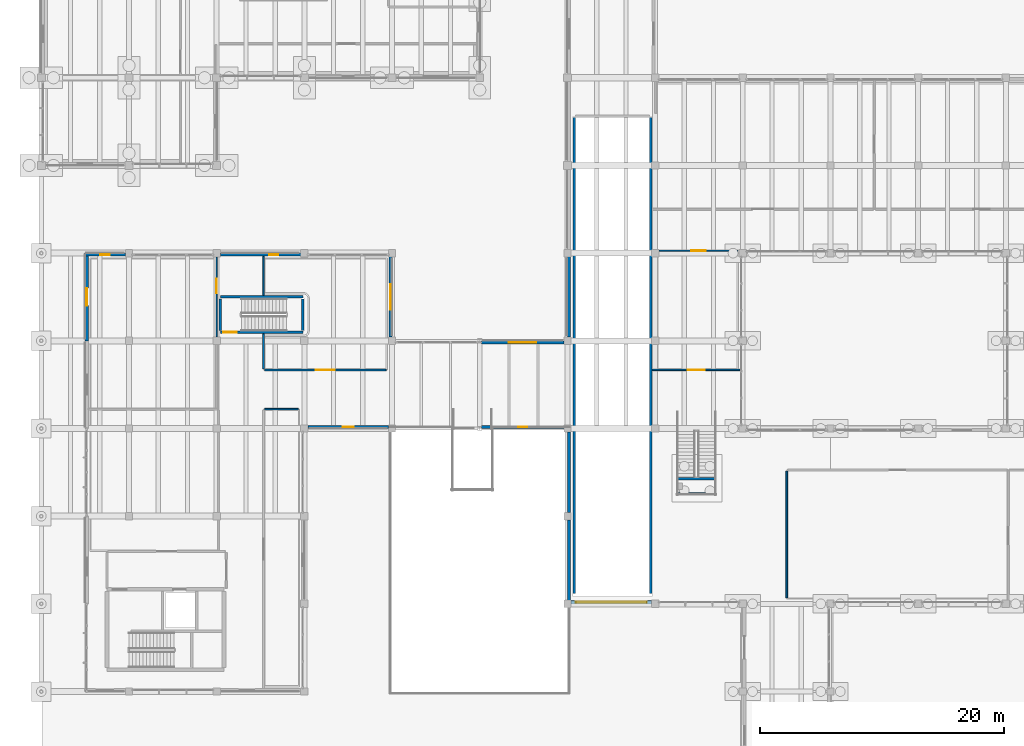
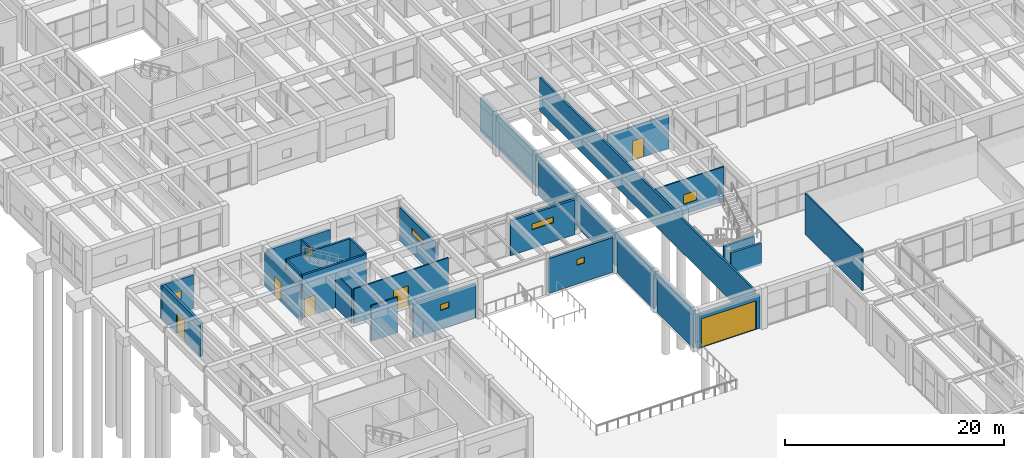
# One storey, part 118 of 155: 27 walls, 7 windows, 6 doors, 13 openings.
"""IFC4 building model written with IfcOpenShell, lengths in metres."""

from ifc_helpers import new_model, si_unit, direction, frame, frame_2d, origin, place, context, subcontext, project, spatial, rectangle, extrude, material, layer, layer_set, type_object, element, fill, save


model = new_model("IFC4")

# Units and contexts
model_context = context("Model", 3, precision=1e-05, world=origin(), true_north=direction((0.0, 1.0)))
body_context = subcontext(model_context, "Body", "Model", "MODEL_VIEW")
ifc_project = project(units=[si_unit("LENGTHUNIT", "METRE"), si_unit("AREAUNIT", "SQUARE_METRE"), si_unit("VOLUMEUNIT", "CUBIC_METRE"), si_unit("PLANEANGLEUNIT", "RADIAN"), si_unit("MASSUNIT", "GRAM", prefix="KILO")], contexts=[model_context])

# Site, building, storey
site_placement = place(None, origin())
site = spatial("IfcSite", under=ifc_project, at=site_placement, CompositionType="ELEMENT")
building_placement = place(site_placement, origin())
building = spatial("IfcBuilding", under=site, at=building_placement, Name="Bramvelor Terrace Health Centre", CompositionType="ELEMENT")
storey_placement = place(building_placement, origin())
storey = spatial("IfcBuildingStorey", under=building, at=storey_placement, Name="L01", CompositionType="ELEMENT", Elevation=0.0)

# Wall
ifc_material_1 = material(Name="Acoustic clinical partition board", Category="gypsum")
ifc_layer_1 = layer(ifc_material_1, 0.1201171875)
ifc_layer_set_1 = layer_set([ifc_layer_1], Name="Acoustic clinical partition board")
wall_type_1 = type_object("IfcWallType", Name="WL-CLN-120", PredefinedType="PARTITIONING", material=ifc_layer_set_1)
wall_1_placement = place(storey_placement, frame((18.25, 61.330078125, 0.0), z_axis=(0.0, 0.0, 1.0), x_axis=(0.0, 1.0, 0.0)))
element("IfcWall", 1, at=wall_1_placement, inside=storey, type_object=wall_type_1, Name="L01 Interior Partition 137", PredefinedType="PARTITIONING", context=body_context, shape_type="SweptSolid", body=[
    extrude(rectangle(XDim=3.204833984375, YDim=0.1201171875, at=frame_2d((1.6025390625, 0.0))), origin(), (0.0, 0.0, 1.0), 3.760009765625),
])

# Wall, opening, window
ifc_material_2 = material(Name="Acoustic clinical partition board", Category="gypsum")
ifc_layer_2 = layer(ifc_material_2, 0.1298828125)
ifc_layer_set_2 = layer_set([ifc_layer_2], Name="Acoustic clinical partition board")
wall_type_2 = type_object("IfcWallType", Name="WL-CLN-130", PredefinedType="PARTITIONING", material=ifc_layer_set_2)
wall_2_placement = place(storey_placement, frame((57.3701171875, 55.2099609375, 0.0), z_axis=(0.0, 0.0, 1.0), x_axis=(-1.0, 0.0, 0.0)))
wall_2 = element("IfcWall", 2, at=wall_2_placement, inside=storey, type_object=wall_type_2, Name="L01 Interior Partition 82", PredefinedType="PARTITIONING", context=body_context, shape_type="SweptSolid", body=[
    extrude(rectangle(XDim=7.210205078125, YDim=0.1298828125, at=frame_2d((3.60498046875, 0.0))), origin(), (0.0, 0.0, 1.0), 3.860107421875),
])
opening_1_placement = place(wall_2_placement, frame((2.905029296875, 0.0, 1.14990234375)))
opening_1 = element("IfcOpeningElement", 3, at=opening_1_placement, cuts=wall_2, Name="Opening IWN-1", PredefinedType="OPENING", context=body_context, shape_type="SweptSolid", body=[
    extrude(rectangle(XDim=1.39990234375, YDim=1.050048828125, at=frame_2d((0.699951171875, 0.52490234375))), frame((0.0, 0.074951171875, 0.0), z_axis=(0.0, -1.0, 0.0), x_axis=(1.0, 0.0, 0.0)), (0.0, 0.0, 1.0), 0.14990234375),
])
ifc_material_3 = material(Name="Acoustic laminated observation glass", Category="glass")
window_type_1 = type_object("IfcWindowType", Name="WIN-INT-OBS140", PartitioningType="SINGLE_PANEL", PredefinedType="WINDOW", material=ifc_material_3)
window_1_placement = place(opening_1_placement, origin())
window_1 = element("IfcWindow", 4, at=window_1_placement, inside=storey, type_object=window_type_1, Name="L01 Clinical Observation Window 11", OverallHeight=1.050048828125, OverallWidth=1.39990234375, PartitioningType="SINGLE_PANEL", PredefinedType="WINDOW", context=body_context, shape_type="SweptSolid", body=[
    extrude(rectangle(XDim=1.39990234375, YDim=1.050048828125, at=frame_2d((0.699951171875, 0.52490234375))), frame((0.0, 0.030029296875, 0.0), z_axis=(0.0, -1.0, 0.0), x_axis=(1.0, 0.0, 0.0)), (0.0, 0.0, 1.0), 0.06005859375),
])
fill(opening_1, window_1)

# Wall
ifc_material_4 = material(Name="Fire-rated gypsum and mineral wool", Category="gypsum")
ifc_layer_3 = layer(ifc_material_4, 0.139892578125)
ifc_layer_set_3 = layer_set([ifc_layer_3], Name="Fire-rated gypsum and mineral wool")
wall_type_3 = type_object("IfcWallType", Name="WL-COR-140", PredefinedType="PARTITIONING", material=ifc_layer_set_3)
wall_3_placement = place(storey_placement, frame((61.201904296875, 36.489990234375, 0.0), z_axis=(0.0, 0.0, 1.0), x_axis=(0.0, 1.0, 0.0)))
element("IfcWall", 5, at=wall_3_placement, inside=storey, type_object=wall_type_3, Name="L01 Interior Partition 78", PredefinedType="PARTITIONING", context=body_context, shape_type="SweptSolid", body=[
    extrude(rectangle(XDim=10.409912109375, YDim=0.139892578125, at=frame_2d((5.205078125, 0.0))), origin(), (0.0, 0.0, 1.0), 4.570068359375),
])

# Wall, opening, door
wall_4_placement = place(storey_placement, frame((50.715087890625, 64.998046875, 0.0), z_axis=(0.0, 0.0, 1.0), x_axis=(1.0, 0.0, 0.0)))
wall_4 = element("IfcWall", 6, at=wall_4_placement, inside=storey, type_object=wall_type_3, Name="L01 Interior Partition 81", PredefinedType="PARTITIONING", context=body_context, shape_type="SweptSolid", body=[
    extrude(rectangle(XDim=6.494384765625, YDim=0.139892578125, at=frame_2d((3.2470703125, 0.0))), origin(), (0.0, 0.0, 1.0), 3.760009765625),
])
opening_2_placement = place(wall_4_placement, frame((2.6572265625, 0.0, 0.0)))
opening_2 = element("IfcOpeningElement", 7, at=opening_2_placement, cuts=wall_4, Name="Opening FD-02", PredefinedType="OPENING", context=body_context, shape_type="SweptSolid", body=[
    extrude(rectangle(XDim=1.179931640625, YDim=2.159912109375, at=frame_2d((0.58984375, 1.080078125))), frame((0.0, 0.079833984375, 0.0), z_axis=(0.0, -1.0, 0.0), x_axis=(1.0, 0.0, 0.0)), (0.0, 0.0, 1.0), 0.159912109375),
])
ifc_material_5 = material(Name="Fire-rated steel and vision panel", Category="steel")
door_type_1 = type_object("IfcDoorType", Name="DR-FD90-118", OperationType="NOTDEFINED", PredefinedType="DOOR", material=ifc_material_5)
door_1_placement = place(opening_2_placement, origin())
door_1 = element("IfcDoor", 8, at=door_1_placement, inside=storey, type_object=door_type_1, Name="L01 Community Courtyard Health Cafe Fire Door", OperationType="SINGLE_SWING_LEFT", OverallHeight=2.159912109375, OverallWidth=1.179931640625, PredefinedType="DOOR", context=body_context, shape_type="SweptSolid", body=[
    extrude(rectangle(XDim=1.179931640625, YDim=2.159912109375, at=frame_2d((0.58984375, 1.080078125))), frame((0.0, 0.02490234375, 0.0), z_axis=(0.0, -1.0, 0.0), x_axis=(1.0, 0.0, 0.0)), (0.0, 0.0, 1.0), 0.050048828125),
])
fill(opening_2, door_1)

wall_5_placement = place(storey_placement, frame((14.39990234375, 64.489990234375, 0.0), z_axis=(0.0, 0.0, 1.0), x_axis=(0.0, -1.0, 0.0)))
wall_5 = element("IfcWall", 9, at=wall_5_placement, inside=storey, type_object=wall_type_3, Name="L01 Interior Partition 133", PredefinedType="PARTITIONING", context=body_context, shape_type="SweptSolid", body=[
    extrude(rectangle(XDim=6.574951171875, YDim=0.139892578125, at=frame_2d((3.28759765625, 0.0))), origin(), (0.0, 0.0, 1.0), 3.760009765625),
])
opening_3_placement = place(wall_5_placement, frame((1.797607421875, 0.0, 0.0)))
opening_3 = element("IfcOpeningElement", 10, at=opening_3_placement, cuts=wall_5, Name="Opening FD-02", PredefinedType="OPENING", context=body_context, shape_type="SweptSolid", body=[
    extrude(rectangle(XDim=1.179931640625, YDim=2.159912109375, at=frame_2d((0.58984375, 1.080078125))), frame((0.0, 0.079833984375, 0.0), z_axis=(0.0, -1.0, 0.0), x_axis=(1.0, 0.0, 0.0)), (0.0, 0.0, 1.0), 0.159912109375),
])
door_2_placement = place(opening_3_placement, origin())
door_2 = element("IfcDoor", 11, at=door_2_placement, inside=storey, type_object=door_type_1, Name="L01 Clinical Immunization Dispensary Fire Door", OperationType="SINGLE_SWING_LEFT", OverallHeight=2.159912109375, OverallWidth=1.179931640625, PredefinedType="DOOR", context=body_context, shape_type="SweptSolid", body=[
    extrude(rectangle(XDim=1.179931640625, YDim=2.159912109375, at=frame_2d((0.58984375, 1.080078125))), frame((0.0, 0.02490234375, 0.0), z_axis=(0.0, -1.0, 0.0), x_axis=(1.0, 0.0, 0.0)), (0.0, 0.0, 1.0), 0.050048828125),
])
fill(opening_3, door_2)

wall_6_placement = place(storey_placement, frame((28.31005859375, 55.2099609375, 0.0), z_axis=(0.0, 0.0, 1.0), x_axis=(-1.0, 0.0, 0.0)))
wall_6 = element("IfcWall", 12, at=wall_6_placement, inside=storey, type_object=wall_type_3, Name="L01 Interior Partition 135", PredefinedType="PARTITIONING", context=body_context, shape_type="SweptSolid", body=[
    extrude(rectangle(XDim=9.968017578125, YDim=0.139892578125, at=frame_2d((4.98388671875, 0.0))), origin(), (0.0, 0.0, 1.0), 3.860107421875),
])
opening_4_placement = place(wall_6_placement, frame((4.2041015625, 0.0, 0.0)))
opening_4 = element("IfcOpeningElement", 13, at=opening_4_placement, cuts=wall_6, Name="Opening FD-03", PredefinedType="OPENING", context=body_context, shape_type="SweptSolid", body=[
    extrude(rectangle(XDim=1.56005859375, YDim=2.219970703125, at=frame_2d((0.780029296875, 1.10986328125))), frame((0.0, 0.079833984375, 0.0), z_axis=(0.0, -1.0, 0.0), x_axis=(1.0, 0.0, 0.0)), (0.0, 0.0, 1.0), 0.159912109375),
])
ifc_material_6 = material(Name="Fire-rated steel and vision panel", Category="steel")
door_type_2 = type_object("IfcDoorType", Name="DR-FD90-156", OperationType="DOUBLE_DOOR_SINGLE_SWING", PredefinedType="DOOR", material=ifc_material_6)
door_3_placement = place(opening_4_placement, origin())
door_3 = element("IfcDoor", 14, at=door_3_placement, inside=storey, type_object=door_type_2, Name="L01 Outpatient Cashier and Claims Desk Fire Door", OperationType="DOUBLE_DOOR_SINGLE_SWING", OverallHeight=2.219970703125, OverallWidth=1.56005859375, PredefinedType="DOOR", context=body_context, shape_type="SweptSolid", body=[
    extrude(rectangle(XDim=1.56005859375, YDim=2.219970703125, at=frame_2d((0.780029296875, 1.10986328125))), frame((0.0, 0.02490234375, 0.0), z_axis=(0.0, -1.0, 0.0), x_axis=(1.0, 0.0, 0.0)), (0.0, 0.0, 1.0), 0.050048828125),
])
fill(opening_4, door_3)

# Walls
wall_7_placement = place(storey_placement, frame((18.251953125, 55.300048828125, 0.0), z_axis=(0.0, 0.0, 1.0), x_axis=(0.0, 1.0, 0.0)))
element("IfcWall", 15, at=wall_7_placement, inside=storey, type_object=wall_type_3, Name="L01 Interior Partition 136", PredefinedType="PARTITIONING", context=body_context, shape_type="SweptSolid", body=[
    extrude(rectangle(XDim=2.869873046875, YDim=0.139892578125, at=frame_2d((1.43505859375, 0.0))), origin(), (0.0, 0.0, 1.0), 3.760009765625),
])
wall_8_placement = place(storey_placement, frame((18.342041015625, 51.989990234375, 0.0), z_axis=(0.0, 0.0, 1.0), x_axis=(1.0, 0.0, 0.0)))
element("IfcWall", 16, at=wall_8_placement, inside=storey, type_object=wall_type_3, Name="L01 Interior Partition 139", PredefinedType="PARTITIONING", context=body_context, shape_type="SweptSolid", body=[
    extrude(rectangle(XDim=2.76806640625, YDim=0.139892578125, at=frame_2d((1.384033203125, 0.0))), origin(), (0.0, 0.0, 1.0), 3.9599609375),
])

# Wall, opening, door
ifc_material_7 = material(Name="Concrete C40/50", Category="concrete")
ifc_layer_4 = layer(ifc_material_7, 0.199951171875)
ifc_layer_set_4 = layer_set([ifc_layer_4], Name="Concrete C40/50")
wall_type_4 = type_object("IfcWallType", Name="WL-CORE-200", PredefinedType="SHEAR", material=ifc_layer_set_4)
wall_9_placement = place(storey_placement, frame((14.699951171875, 58.300048828125, 0.0), z_axis=(0.0, 0.0, 1.0), x_axis=(1.0, 0.0, 0.0)))
wall_9 = element("IfcWall", 17, at=wall_9_placement, inside=storey, type_object=wall_type_4, Name="ST-6 L01 Stair Shaft Wall", PredefinedType="SHEAR", context=body_context, shape_type="SweptSolid", body=[
    extrude(rectangle(XDim=6.775146484375, YDim=0.199951171875, at=frame_2d((3.3876953125, 0.0))), origin(), (0.0, 0.0, 1.0), 4.800048828125),
])
opening_5_placement = place(wall_9_placement, frame((0.219970703125, 0.0, 0.0)))
opening_5 = element("IfcOpeningElement", 18, at=opening_5_placement, cuts=wall_9, Name="Opening FD-06", PredefinedType="OPENING", context=body_context, shape_type="SweptSolid", body=[
    extrude(rectangle(XDim=1.1201171875, YDim=2.139892578125, at=frame_2d((0.56005859375, 1.06982421875))), frame((0.0, 0.10986328125, 0.0), z_axis=(0.0, -1.0, 0.0), x_axis=(1.0, 0.0, 0.0)), (0.0, 0.0, 1.0), 0.219970703125),
])
ifc_material_8 = material(Name="Fire-rated steel and vision panel", Category="steel")
door_type_3 = type_object("IfcDoorType", Name="DR-FD60-112", OperationType="NOTDEFINED", PredefinedType="DOOR", material=ifc_material_8)
door_4_placement = place(opening_5_placement, origin())
door_4 = element("IfcDoor", 19, at=door_4_placement, inside=storey, type_object=door_type_3, Name="ST-6 L01 Exit Stair Fire Door", OperationType="SINGLE_SWING_LEFT", OverallHeight=2.139892578125, OverallWidth=1.1201171875, PredefinedType="DOOR", context=body_context, shape_type="SweptSolid", body=[
    extrude(rectangle(XDim=1.1201171875, YDim=2.139892578125, at=frame_2d((0.56005859375, 1.06982421875))), frame((0.0, 0.02490234375, 0.0), z_axis=(0.0, -1.0, 0.0), x_axis=(1.0, 0.0, 0.0)), (0.0, 0.0, 1.0), 0.050048828125),
])
fill(opening_5, door_4)

# Walls
wall_10_placement = place(storey_placement, frame((14.699951171875, 61.199951171875, 0.0), z_axis=(0.0, 0.0, 1.0), x_axis=(1.0, 0.0, 0.0)))
element("IfcWall", 20, at=wall_10_placement, inside=storey, type_object=wall_type_4, Name="ST-6 L01 Stair Shaft Wall", PredefinedType="SHEAR", context=body_context, shape_type="SweptSolid", body=[
    extrude(rectangle(XDim=6.775146484375, YDim=0.199951171875, at=frame_2d((3.3876953125, 0.0))), origin(), (0.0, 0.0, 1.0), 4.800048828125),
])
for number, where, z_axis, x_axis, name in (
    (21, (14.699951171875, 58.449951171875, 0.0), (0.0, 0.0, 1.0), (0.0, 1.0, 0.0), "ST-6 L01 Stair Shaft Wall"),
    (22, (21.47509765625, 58.449951171875, 0.0), (0.0, 0.0, 1.0), (0.0, 1.0, 0.0), "ST-6 L01 Stair Shaft Wall"),
):
    element("IfcWall", number, at=place(storey_placement, frame(where, z_axis=z_axis, x_axis=x_axis)), inside=storey, type_object=wall_type_4, Name=name, PredefinedType="SHEAR", context=body_context, shape_type="SweptSolid", body=[
        extrude(rectangle(XDim=2.60009765625, YDim=0.199951171875, at=frame_2d((1.300048828125, 0.0))), origin(), (0.0, 0.0, 1.0), 4.800048828125),
    ])
for number, where, z_axis, x_axis, name in (
    (23, (52.199951171875, 45.030029296875, -0.25), (0.0, 0.0, 1.0), (1.0, 0.0, 0.0), "ST-11 Half-Landing Far Support Wall"),
    (24, (52.199951171875, 46.280029296875, -0.25), (0.0, 0.0, 1.0), (1.0, 0.0, 0.0), "ST-11 Half-Landing Near Support Wall"),
):
    element("IfcWall", number, at=place(storey_placement, frame(where, z_axis=z_axis, x_axis=x_axis)), inside=storey, type_object=wall_type_4, Name=name, PredefinedType="SHEAR", context=body_context, shape_type="SweptSolid", body=[
        extrude(rectangle(XDim=3.199951171875, YDim=0.199951171875, at=frame_2d((1.60009765625, 0.0))), origin(), (0.0, 0.0, 1.0), 2.449951171875),
    ])
ifc_material_9 = material(Name="Precast concrete C40/50", Category="concrete")
ifc_layer_5 = layer(ifc_material_9, 0.25)
ifc_layer_set_5 = layer_set([ifc_layer_5], Name="Precast concrete C40/50")
wall_type_5 = type_object("IfcWallType", Name="WL-EXT-RC250", PredefinedType="SOLIDWALL", material=ifc_layer_set_5)
wall_11_placement = place(storey_placement, frame((43.330078125, 36.294921875, 0.0), z_axis=(0.0, 0.0, 1.0), x_axis=(0.0, 1.0, 0.0)))
element("IfcWall", 25, at=wall_11_placement, inside=storey, type_object=wall_type_5, Name="L01 Exterior Facade Wall 1", PredefinedType="SOLIDWALL", context=body_context, shape_type="SweptSolid", body=[
    extrude(rectangle(XDim=6.610107421875, YDim=0.25, at=frame_2d((3.30517578125, 0.0))), origin(), (0.0, 0.0, 1.0), 3.760009765625),
])

# Wall, opening, window
wall_12_placement = place(storey_placement, frame((42.905029296875, 50.530029296875, 0.0), z_axis=(0.0, 0.0, 1.0), x_axis=(-1.0, 0.0, 0.0)))
wall_12 = element("IfcWall", 26, at=wall_12_placement, inside=storey, type_object=wall_type_5, Name="L01 Exterior Facade Wall 3", PredefinedType="SOLIDWALL", context=body_context, shape_type="SweptSolid", body=[
    extrude(rectangle(XDim=6.75634765625, YDim=0.25, at=frame_2d((3.378173828125, 0.0))), origin(), (0.0, 0.0, 1.0), 3.8798828125),
])
opening_6_placement = place(wall_12_placement, frame((3.003173828125, 0.0, 2.10009765625)))
opening_6 = element("IfcOpeningElement", 27, at=opening_6_placement, cuts=wall_12, Name="Opening WN-01", PredefinedType="OPENING", context=body_context, shape_type="SweptSolid", body=[
    extrude(rectangle(XDim=0.75, YDim=0.64990234375, at=frame_2d((0.375, 0.324951171875))), frame((0.0, 0.135009765625, 0.0), z_axis=(0.0, -1.0, 0.0), x_axis=(1.0, 0.0, 0.0)), (0.0, 0.0, 1.0), 0.27001953125),
])
ifc_material_10 = material(Name="Double low-E laminated glass", Category="glass")
window_type_2 = type_object("IfcWindowType", Name="WIN-EXT-01", PartitioningType="SINGLE_PANEL", PredefinedType="WINDOW", material=ifc_material_10)
window_2_placement = place(opening_6_placement, origin())
window_2 = element("IfcWindow", 28, at=window_2_placement, inside=storey, type_object=window_type_2, Name="L01 Scheduled Clinical Window 1", OverallHeight=0.64990234375, OverallWidth=0.75, PartitioningType="SINGLE_PANEL", PredefinedType="WINDOW", context=body_context, shape_type="SweptSolid", body=[
    extrude(rectangle(XDim=0.75, YDim=0.64990234375, at=frame_2d((0.375, 0.324951171875))), frame((0.0, 0.030029296875, 0.0), z_axis=(0.0, -1.0, 0.0), x_axis=(1.0, 0.0, 0.0)), (0.0, 0.0, 1.0), 0.06005859375),
])
fill(opening_6, window_2)

wall_13_placement = place(storey_placement, frame((28.5048828125, 50.530029296875, 0.0), z_axis=(0.0, 0.0, 1.0), x_axis=(-1.0, 0.0, 0.0)))
wall_13 = element("IfcWall", 29, at=wall_13_placement, inside=storey, type_object=wall_type_5, Name="L01 Exterior Facade Wall 5", PredefinedType="SOLIDWALL", context=body_context, shape_type="SweptSolid", body=[
    extrude(rectangle(XDim=6.60986328125, YDim=0.25, at=frame_2d((3.304931640625, 0.0))), origin(), (0.0, 0.0, 1.0), 3.760009765625),
])
opening_7_placement = place(wall_13_placement, frame((2.85498046875, 0.0, 2.10009765625)))
opening_7 = element("IfcOpeningElement", 30, at=opening_7_placement, cuts=wall_13, Name="Opening WN-02", PredefinedType="OPENING", context=body_context, shape_type="SweptSolid", body=[
    extrude(rectangle(XDim=0.89990234375, YDim=0.64990234375, at=frame_2d((0.449951171875, 0.324951171875))), frame((0.0, 0.135009765625, 0.0), z_axis=(0.0, -1.0, 0.0), x_axis=(1.0, 0.0, 0.0)), (0.0, 0.0, 1.0), 0.27001953125),
])
ifc_material_11 = material(Name="Double low-E laminated glass", Category="glass")
window_type_3 = type_object("IfcWindowType", Name="WIN-EXT-02", PartitioningType="SINGLE_PANEL", PredefinedType="WINDOW", material=ifc_material_11)
window_3_placement = place(opening_7_placement, origin())
window_3 = element("IfcWindow", 31, at=window_3_placement, inside=storey, type_object=window_type_3, Name="L01 Scheduled Clinical Window 2", OverallHeight=0.64990234375, OverallWidth=0.89990234375, PartitioningType="SINGLE_PANEL", PredefinedType="WINDOW", context=body_context, shape_type="SweptSolid", body=[
    extrude(rectangle(XDim=0.89990234375, YDim=0.64990234375, at=frame_2d((0.449951171875, 0.324951171875))), frame((0.0, 0.030029296875, 0.0), z_axis=(0.0, -1.0, 0.0), x_axis=(1.0, 0.0, 0.0)), (0.0, 0.0, 1.0), 0.06005859375),
])
fill(opening_7, window_3)

wall_14_placement = place(storey_placement, frame((3.56005859375, 64.669921875, 0.0), z_axis=(0.0, 0.0, 1.0), x_axis=(1.0, 0.0, 0.0)))
wall_14 = element("IfcWall", 32, at=wall_14_placement, inside=storey, type_object=wall_type_5, Name="L01 Exterior Facade Wall 17", PredefinedType="SOLIDWALL", context=body_context, shape_type="SweptSolid", body=[
    extrude(rectangle(XDim=3.344970703125, YDim=0.25, at=frame_2d((1.67236328125, 0.0))), origin(), (0.0, 0.0, 1.0), 3.760009765625),
])
opening_8_placement = place(wall_14_placement, frame((1.297607421875, 0.0, 1.5)))
opening_8 = element("IfcOpeningElement", 33, at=opening_8_placement, cuts=wall_14, Name="Opening WN-13", PredefinedType="OPENING", context=body_context, shape_type="SweptSolid", body=[
    extrude(rectangle(XDim=0.75, YDim=0.949951171875, at=frame_2d((0.375, 0.47509765625))), frame((0.0, 0.135009765625, 0.0), z_axis=(0.0, -1.0, 0.0), x_axis=(1.0, 0.0, 0.0)), (0.0, 0.0, 1.0), 0.27001953125),
])
ifc_material_12 = material(Name="Double low-E laminated glass", Category="glass")
window_type_4 = type_object("IfcWindowType", Name="WIN-EXT-13", PartitioningType="SINGLE_PANEL", PredefinedType="WINDOW", material=ifc_material_12)
window_4_placement = place(opening_8_placement, origin())
window_4 = element("IfcWindow", 34, at=window_4_placement, inside=storey, type_object=window_type_4, Name="L01 Scheduled Clinical Window 8", OverallHeight=0.949951171875, OverallWidth=0.75, PartitioningType="SINGLE_PANEL", PredefinedType="WINDOW", context=body_context, shape_type="SweptSolid", body=[
    extrude(rectangle(XDim=0.75, YDim=0.949951171875, at=frame_2d((0.375, 0.47509765625))), frame((0.0, 0.030029296875, 0.0), z_axis=(0.0, -1.0, 0.0), x_axis=(1.0, 0.0, 0.0)), (0.0, 0.0, 1.0), 0.06005859375),
])
fill(opening_8, window_4)

wall_15_placement = place(storey_placement, frame((14.695068359375, 64.669921875, 0.0), z_axis=(0.0, 0.0, 1.0), x_axis=(1.0, 0.0, 0.0)))
wall_15 = element("IfcWall", 35, at=wall_15_placement, inside=storey, type_object=wall_type_5, Name="L01 Exterior Facade Wall 19", PredefinedType="SOLIDWALL", context=body_context, shape_type="SweptSolid", body=[
    extrude(rectangle(XDim=6.60986328125, YDim=0.25, at=frame_2d((3.304931640625, 0.0))), origin(), (0.0, 0.0, 1.0), 3.760009765625),
])
opening_9_placement = place(wall_15_placement, frame((4.030029296875, 0.0, 1.5)))
opening_9 = element("IfcOpeningElement", 36, at=opening_9_placement, cuts=wall_15, Name="Opening WN-13", PredefinedType="OPENING", context=body_context, shape_type="SweptSolid", body=[
    extrude(rectangle(XDim=0.75, YDim=0.949951171875, at=frame_2d((0.375, 0.47509765625))), frame((0.0, 0.135009765625, 0.0), z_axis=(0.0, -1.0, 0.0), x_axis=(1.0, 0.0, 0.0)), (0.0, 0.0, 1.0), 0.27001953125),
])
window_5_placement = place(opening_9_placement, origin())
window_5 = element("IfcWindow", 37, at=window_5_placement, inside=storey, type_object=window_type_4, Name="L01 Scheduled Clinical Window 9", OverallHeight=0.949951171875, OverallWidth=0.75, PartitioningType="SINGLE_PANEL", PredefinedType="WINDOW", context=body_context, shape_type="SweptSolid", body=[
    extrude(rectangle(XDim=0.75, YDim=0.949951171875, at=frame_2d((0.375, 0.47509765625))), frame((0.0, 0.030029296875, 0.0), z_axis=(0.0, -1.0, 0.0), x_axis=(1.0, 0.0, 0.0)), (0.0, 0.0, 1.0), 0.06005859375),
])
fill(opening_9, window_5)

wall_16_placement = place(storey_placement, frame((28.669921875, 64.5048828125, 0.0), z_axis=(0.0, 0.0, 1.0), x_axis=(0.0, -1.0, 0.0)))
wall_16 = element("IfcWall", 38, at=wall_16_placement, inside=storey, type_object=wall_type_5, Name="L01 Exterior Facade Wall 21", PredefinedType="SOLIDWALL", context=body_context, shape_type="SweptSolid", body=[
    extrude(rectangle(XDim=6.60986328125, YDim=0.25, at=frame_2d((3.304931640625, 0.0))), origin(), (0.0, 0.0, 1.0), 3.760009765625),
])
opening_10_placement = place(wall_16_placement, frame((2.2548828125, 0.0, 2.10009765625)))
opening_10 = element("IfcOpeningElement", 39, at=opening_10_placement, cuts=wall_16, Name="Opening WN-10", PredefinedType="OPENING", context=body_context, shape_type="SweptSolid", body=[
    extrude(rectangle(XDim=2.10009765625, YDim=0.64990234375, at=frame_2d((1.050048828125, 0.324951171875))), frame((0.0, 0.135009765625, 0.0), z_axis=(0.0, -1.0, 0.0), x_axis=(1.0, 0.0, 0.0)), (0.0, 0.0, 1.0), 0.27001953125),
])
ifc_material_13 = material(Name="Double low-E laminated glass", Category="glass")
window_type_5 = type_object("IfcWindowType", Name="WIN-EXT-10", PartitioningType="SINGLE_PANEL", PredefinedType="WINDOW", material=ifc_material_13)
window_6_placement = place(opening_10_placement, origin())
window_6 = element("IfcWindow", 40, at=window_6_placement, inside=storey, type_object=window_type_5, Name="L01 Scheduled Clinical Window 10", OverallHeight=0.64990234375, OverallWidth=2.10009765625, PartitioningType="SINGLE_PANEL", PredefinedType="WINDOW", context=body_context, shape_type="SweptSolid", body=[
    extrude(rectangle(XDim=2.10009765625, YDim=0.64990234375, at=frame_2d((1.050048828125, 0.324951171875))), frame((0.0, 0.030029296875, 0.0), z_axis=(0.0, -1.0, 0.0), x_axis=(1.0, 0.0, 0.0)), (0.0, 0.0, 1.0), 0.06005859375),
])
fill(opening_10, window_6)

wall_17_placement = place(storey_placement, frame((36.148681640625, 57.469970703125, 0.0), z_axis=(0.0, 0.0, 1.0), x_axis=(1.0, 0.0, 0.0)))
wall_17 = element("IfcWall", 41, at=wall_17_placement, inside=storey, type_object=wall_type_5, Name="L01 Exterior Facade Wall 23", PredefinedType="SOLIDWALL", context=body_context, shape_type="SweptSolid", body=[
    extrude(rectangle(XDim=6.75634765625, YDim=0.25, at=frame_2d((3.378173828125, 0.0))), origin(), (0.0, 0.0, 1.0), 3.8798828125),
])
opening_11_placement = place(wall_17_placement, frame((2.253173828125, 0.0, 2.10009765625)))
opening_11 = element("IfcOpeningElement", 42, at=opening_11_placement, cuts=wall_17, Name="Opening WN-11", PredefinedType="OPENING", context=body_context, shape_type="SweptSolid", body=[
    extrude(rectangle(XDim=2.25, YDim=0.64990234375, at=frame_2d((1.125, 0.324951171875))), frame((0.0, 0.135009765625, 0.0), z_axis=(0.0, -1.0, 0.0), x_axis=(1.0, 0.0, 0.0)), (0.0, 0.0, 1.0), 0.27001953125),
])
ifc_material_14 = material(Name="Double low-E laminated glass", Category="glass")
window_type_6 = type_object("IfcWindowType", Name="WIN-EXT-11", PartitioningType="SINGLE_PANEL", PredefinedType="WINDOW", material=ifc_material_14)
window_7_placement = place(opening_11_placement, origin())
window_7 = element("IfcWindow", 43, at=window_7_placement, inside=storey, type_object=window_type_6, Name="L01 Scheduled Clinical Window 11", OverallHeight=0.64990234375, OverallWidth=2.25, PartitioningType="SINGLE_PANEL", PredefinedType="WINDOW", context=body_context, shape_type="SweptSolid", body=[
    extrude(rectangle(XDim=2.25, YDim=0.64990234375, at=frame_2d((1.125, 0.324951171875))), frame((0.0, 0.030029296875, 0.0), z_axis=(0.0, -1.0, 0.0), x_axis=(1.0, 0.0, 0.0)), (0.0, 0.0, 1.0), 0.06005859375),
])
fill(opening_11, window_7)

# Wall
ifc_material_15 = material(Name="Precast concrete C40/50", Category="concrete")
ifc_layer_6 = layer(ifc_material_15, 0.280029296875)
ifc_layer_set_6 = layer_set([ifc_layer_6], Name="Precast concrete C40/50")
wall_type_6 = type_object("IfcWallType", Name="WL-EXT-RC280", PredefinedType="SOLIDWALL", material=ifc_layer_set_6)
wall_18_placement = place(storey_placement, frame((43.330078125, 43.4951171875, 0.0), z_axis=(0.0, 0.0, 1.0), x_axis=(0.0, 1.0, 0.0)))
element("IfcWall", 44, at=wall_18_placement, inside=storey, type_object=wall_type_6, Name="L01 Exterior Facade Wall 2", PredefinedType="SOLIDWALL", context=body_context, shape_type="SweptSolid", body=[
    extrude(rectangle(XDim=6.60986328125, YDim=0.280029296875, at=frame_2d((3.304931640625, 0.0))), origin(), (0.0, 0.0, 1.0), 3.760009765625),
])

# Wall, opening, door
wall_19_placement = place(storey_placement, frame((3.72998046875, 57.60009765625, 0.0), z_axis=(0.0, 0.0, 1.0), x_axis=(0.0, 1.0, 0.0)))
wall_19 = element("IfcWall", 45, at=wall_19_placement, inside=storey, type_object=wall_type_6, Name="L01 Exterior Facade Wall 16", PredefinedType="SOLIDWALL", context=body_context, shape_type="SweptSolid", body=[
    extrude(rectangle(XDim=7.219970703125, YDim=0.280029296875, at=frame_2d((3.60986328125, 0.0))), origin(), (0.0, 0.0, 1.0), 3.760009765625),
])
opening_12_placement = place(wall_19_placement, frame((2.885009765625, 0.0, 0.0)))
opening_12 = element("IfcOpeningElement", 46, at=opening_12_placement, cuts=wall_19, Name="Opening ED-09", PredefinedType="OPENING", context=body_context, shape_type="SweptSolid", body=[
    extrude(rectangle(XDim=1.449951171875, YDim=2.25, at=frame_2d((0.72509765625, 1.125))), frame((0.0, 0.14990234375, 0.0), z_axis=(0.0, -1.0, 0.0), x_axis=(1.0, 0.0, 0.0)), (0.0, 0.0, 1.0), 0.300048828125),
])
ifc_material_16 = material(Name="Anodized aluminium and laminated glass", Category="aluminium")
door_type_4 = type_object("IfcDoorType", Name="DR-EXT-TER-145", OperationType="DOUBLE_DOOR_SINGLE_SWING", PredefinedType="DOOR", material=ifc_material_16)
door_5_placement = place(opening_12_placement, origin())
door_5 = element("IfcDoor", 47, at=door_5_placement, inside=storey, type_object=door_type_4, Name="L01 Exterior Door 2", OperationType="DOUBLE_DOOR_SINGLE_SWING", OverallHeight=2.25, OverallWidth=1.449951171875, PredefinedType="DOOR", context=body_context, shape_type="SweptSolid", body=[
    extrude(rectangle(XDim=1.449951171875, YDim=2.25, at=frame_2d((0.72509765625, 1.125))), frame((0.0, 0.02490234375, 0.0), z_axis=(0.0, -1.0, 0.0), x_axis=(1.0, 0.0, 0.0)), (0.0, 0.0, 1.0), 0.050048828125),
])
fill(opening_12, door_5)

# Wall
wall_20_placement = place(storey_placement, frame((43.330078125, 57.89501953125, 0.0), z_axis=(0.0, 0.0, 1.0), x_axis=(0.0, 1.0, 0.0)))
element("IfcWall", 48, at=wall_20_placement, inside=storey, type_object=wall_type_6, Name="L01 Exterior Facade Wall 24", PredefinedType="SOLIDWALL", context=body_context, shape_type="SweptSolid", body=[
    extrude(rectangle(XDim=6.60986328125, YDim=0.280029296875, at=frame_2d((3.304931640625, 0.0))), origin(), (0.0, 0.0, 1.0), 3.760009765625),
])

# Wall, opening, door
wall_21_placement = place(storey_placement, frame((50.10498046875, 36.1298828125, 0.0), z_axis=(0.0, 0.0, 1.0), x_axis=(-1.0, 0.0, 0.0)))
wall_21 = element("IfcWall", 49, at=wall_21_placement, inside=storey, type_object=wall_type_6, Name="L01 Vehicle Ramp Portal Wall", PredefinedType="SOLIDWALL", context=body_context, shape_type="SweptSolid", body=[
    extrude(rectangle(XDim=6.60986328125, YDim=0.280029296875, at=frame_2d((3.304931640625, 0.0))), origin(), (0.0, 0.0, 1.0), 3.760009765625),
])
opening_13_placement = place(wall_21_placement, frame((0.405029296875, 0.0, 0.0)))
opening_13 = element("IfcOpeningElement", 50, at=opening_13_placement, cuts=wall_21, Name="Opening ED-VR01", PredefinedType="OPENING", context=body_context, shape_type="SweptSolid", body=[
    extrude(rectangle(XDim=5.800048828125, YDim=3.199951171875, at=frame_2d((2.89990234375, 1.60009765625))), frame((0.0, 0.14990234375, 0.0), z_axis=(0.0, -1.0, 0.0), x_axis=(1.0, 0.0, 0.0)), (0.0, 0.0, 1.0), 0.300048828125),
])
ifc_material_17 = material(Name="Galvanized steel S355J2", Category="steel")
door_type_5 = type_object("IfcDoorType", Name="DR-EXT-SHUTTER", OperationType="ROLLINGUP", PredefinedType="DOOR", material=ifc_material_17)
door_6_placement = place(opening_13_placement, origin())
door_6 = element("IfcDoor", 51, at=door_6_placement, inside=storey, type_object=door_type_5, Name="L01 Vehicle Ramp External Roller Shutter", OperationType="ROLLINGUP", OverallHeight=3.199951171875, OverallWidth=5.800048828125, PredefinedType="DOOR", context=body_context, shape_type="SweptSolid", body=[
    extrude(rectangle(XDim=5.800048828125, YDim=3.199951171875, at=frame_2d((2.89990234375, 1.60009765625))), frame((0.0, 0.02490234375, 0.0), z_axis=(0.0, -1.0, 0.0), x_axis=(1.0, 0.0, 0.0)), (0.0, 0.0, 1.0), 0.050048828125),
])
fill(opening_13, door_6)

# Walls
ifc_material_18 = material(Name="Concrete C40/50", Category="concrete")
ifc_layer_7 = layer(ifc_material_18, 0.199951171875)
ifc_layer_set_7 = layer_set([ifc_layer_7], Name="Concrete C40/50")
wall_type_7 = type_object("IfcWallType", Name="WL-VR01-200", PredefinedType="SHEAR", material=ifc_layer_set_7)
for number, where, z_axis, x_axis, name in (
    (52, (43.75, 36.85009765625, 0.0), (0.0, 0.0, 1.0), (0.0, 1.0, 0.0), "L01 Vehicle Ramp West Enclosure Wall"),
    (53, (50.050048828125, 36.85009765625, 0.0), (0.0, 0.0, 1.0), (0.0, 1.0, 0.0), "L01 Vehicle Ramp East Enclosure Wall"),
):
    element("IfcWall", number, at=place(storey_placement, frame(where, z_axis=z_axis, x_axis=x_axis)), inside=storey, type_object=wall_type_7, Name=name, PredefinedType="SHEAR", context=body_context, shape_type="SweptSolid", body=[
        extrude(rectangle(XDim=39.099853515625, YDim=0.199951171875, at=frame_2d((19.5498046875, 0.0))), origin(), (0.0, 0.0, 1.0), 3.760009765625),
    ])

save(model, "model.ifc")
